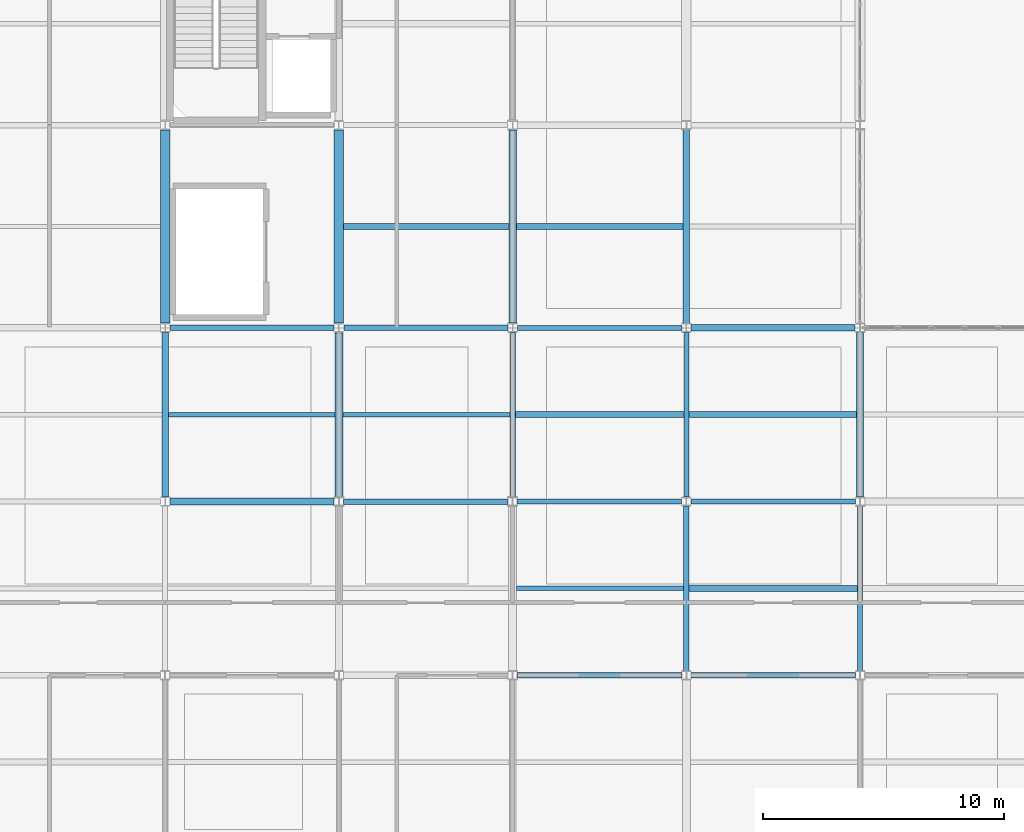
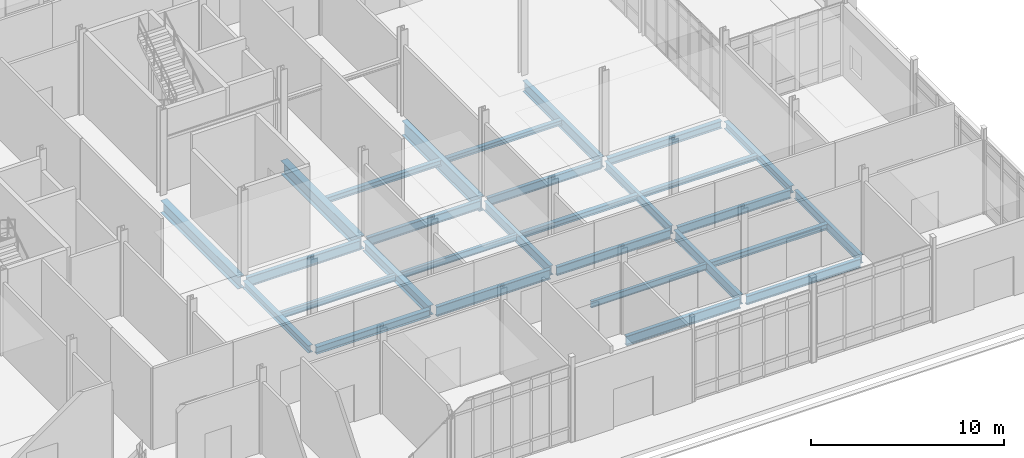
# One storey, part 119 of 229: 29 beams.
"""IFC4 building model written with IfcOpenShell, lengths in metres."""

from ifc_helpers import new_model, si_unit, direction, frame, origin, origin_2d, place, context, subcontext, project, spatial, i_section, extrude, material, material_profile, profile_set, type_object, element, save


model = new_model("IFC4")

# Units and contexts
model_context = context("Model", 3, precision=1e-05, world=origin(), true_north=direction((0.0, 1.0)))
body_context = subcontext(model_context, "Body", "Model", "MODEL_VIEW")
ifc_project = project(units=[si_unit("LENGTHUNIT", "METRE"), si_unit("AREAUNIT", "SQUARE_METRE"), si_unit("VOLUMEUNIT", "CUBIC_METRE"), si_unit("PLANEANGLEUNIT", "RADIAN"), si_unit("MASSUNIT", "GRAM", prefix="KILO")], contexts=[model_context])

# Site, building, storey
site_placement = place(None, origin())
site = spatial("IfcSite", under=ifc_project, at=site_placement, CompositionType="ELEMENT")
building_placement = place(site_placement, origin())
building = spatial("IfcBuilding", under=site, at=building_placement, Name="Calvrana Isthmian Art Gallery", CompositionType="ELEMENT")
storey_placement = place(building_placement, origin())
storey = spatial("IfcBuildingStorey", under=building, at=storey_placement, Name="L00", CompositionType="ELEMENT", Elevation=0.0)

# Beams
ifc_material = material(Name="Steel ASTM A992 Gr 50", Category="steel")
ifc_material_profile_1 = material_profile(ifc_material, i_section(OverallWidth=0.279052734375, OverallDepth=0.4619140625, WebThickness=0.0107421875, FlangeThickness=0.017333984375, FilletRadius=0.02001953125, at=origin_2d()), Name="W18X76")
ifc_profile_set_1 = profile_set([ifc_material_profile_1], Name="Steel ASTM A992 Gr 50")
beam_type_1 = type_object("IfcBeamType", Name="BM-G-W18X76", PredefinedType="BEAM", material=ifc_profile_set_1)
beam_1_placement = place(storey_placement, frame((127.39794921875, 14.39990234375, -0.51611328125), z_axis=(1.0, 0.0, 0.0), x_axis=(0.0, 1.0, 0.0)))
element("IfcBeam", 1, at=beam_1_placement, inside=storey, type_object=beam_type_1, Name="Girder X L00 17-18/C", PredefinedType="BEAM", context=body_context, shape_type="SweptSolid", body=[
    extrude(i_section(OverallWidth=0.279052734375, OverallDepth=0.4619140625, WebThickness=0.0107421875, FlangeThickness=0.017333984375, FilletRadius=0.02001953125, at=origin_2d()), origin(), (0.0, 0.0, 1.0), 6.804931640625),
])
beam_2_placement = place(storey_placement, frame((148.986572265625, 21.60009765625, -0.51611328125), z_axis=(1.0, 0.0, 0.0), x_axis=(0.0, 1.0, 0.0)))
element("IfcBeam", 2, at=beam_2_placement, inside=storey, type_object=beam_type_1, Name="Girder X L00 20-21/D", PredefinedType="BEAM", context=body_context, shape_type="SweptSolid", body=[
    extrude(i_section(OverallWidth=0.279052734375, OverallDepth=0.4619140625, WebThickness=0.0107421875, FlangeThickness=0.017333984375, FilletRadius=0.02001953125, at=origin_2d()), origin(), (0.0, 0.0, 1.0), 6.81396484375),
])
beam_3_placement = place(storey_placement, frame((127.199951171875, 14.590576171875, -0.51611328125), z_axis=(0.0, 1.0, 0.0), x_axis=(-1.0, 0.0, 0.0)))
element("IfcBeam", 3, at=beam_3_placement, inside=storey, type_object=beam_type_1, Name="Girder Y L00 17/C-D", PredefinedType="BEAM", context=body_context, shape_type="SweptSolid", body=[
    extrude(i_section(OverallWidth=0.279052734375, OverallDepth=0.4619140625, WebThickness=0.0107421875, FlangeThickness=0.017333984375, FilletRadius=0.02001953125, at=origin_2d()), origin(), (0.0, 0.0, 1.0), 6.8125),
])
beam_4_placement = place(storey_placement, frame((156.0, 14.590576171875, -0.51611328125), z_axis=(0.0, 1.0, 0.0), x_axis=(-1.0, 0.0, 0.0)))
element("IfcBeam", 4, at=beam_4_placement, inside=storey, type_object=beam_type_1, Name="Girder Y L00 21/C-D", PredefinedType="BEAM", context=body_context, shape_type="SweptSolid", body=[
    extrude(i_section(OverallWidth=0.279052734375, OverallDepth=0.4619140625, WebThickness=0.0107421875, FlangeThickness=0.017333984375, FilletRadius=0.02001953125, at=origin_2d()), origin(), (0.0, 0.0, 1.0), 6.81640625),
])
ifc_material_profile_2 = material_profile(ifc_material, i_section(OverallWidth=0.208984375, OverallDepth=0.532958984375, WebThickness=0.01025390625, FlangeThickness=0.015625, FilletRadius=0.02099609375, at=origin_2d()), Name="W21X62")
ifc_profile_set_2 = profile_set([ifc_material_profile_2], Name="Steel ASTM A992 Gr 50")
beam_type_2 = type_object("IfcBeamType", Name="BM-G-W21X62", PredefinedType="BEAM", material=ifc_profile_set_2)
beam_5_placement = place(storey_placement, frame((148.99951171875, 14.39990234375, -0.551513671875), z_axis=(1.0, 0.0, 0.0), x_axis=(0.0, 1.0, 0.0)))
element("IfcBeam", 5, at=beam_5_placement, inside=storey, type_object=beam_type_2, Name="Girder X L00 20-21/C", PredefinedType="BEAM", context=body_context, shape_type="SweptSolid", body=[
    extrude(i_section(OverallWidth=0.208984375, OverallDepth=0.532958984375, WebThickness=0.01025390625, FlangeThickness=0.015625, FilletRadius=0.02099609375, at=origin_2d()), origin(), (0.0, 0.0, 1.0), 6.802490234375),
])
beam_6_placement = place(storey_placement, frame((141.800537109375, 21.60009765625, -0.551513671875), z_axis=(1.0, 0.0, 0.0), x_axis=(0.0, 1.0, 0.0)))
element("IfcBeam", 6, at=beam_6_placement, inside=storey, type_object=beam_type_2, Name="Girder X L00 19-20/D", PredefinedType="BEAM", context=body_context, shape_type="SweptSolid", body=[
    extrude(i_section(OverallWidth=0.208984375, OverallDepth=0.532958984375, WebThickness=0.01025390625, FlangeThickness=0.015625, FilletRadius=0.02099609375, at=origin_2d()), origin(), (0.0, 0.0, 1.0), 6.81298828125),
])
beam_7_placement = place(storey_placement, frame((148.800048828125, 14.593017578125, -0.551513671875), z_axis=(0.0, 1.0, 0.0), x_axis=(-1.0, 0.0, 0.0)))
element("IfcBeam", 7, at=beam_7_placement, inside=storey, type_object=beam_type_2, Name="Girder Y L00 20/C-D", PredefinedType="BEAM", context=body_context, shape_type="SweptSolid", body=[
    extrude(i_section(OverallWidth=0.208984375, OverallDepth=0.532958984375, WebThickness=0.01025390625, FlangeThickness=0.015625, FilletRadius=0.02099609375, at=origin_2d()), origin(), (0.0, 0.0, 1.0), 6.820556640625),
])
beam_8_placement = place(storey_placement, frame((156.0, 7.381591796875, -0.551513671875), z_axis=(0.0, 1.0, 0.0), x_axis=(-1.0, 0.0, 0.0)))
element("IfcBeam", 8, at=beam_8_placement, inside=storey, type_object=beam_type_2, Name="Girder Y L00 21/B-C", PredefinedType="BEAM", context=body_context, shape_type="SweptSolid", body=[
    extrude(i_section(OverallWidth=0.208984375, OverallDepth=0.532958984375, WebThickness=0.01025390625, FlangeThickness=0.015625, FilletRadius=0.02099609375, at=origin_2d()), origin(), (0.0, 0.0, 1.0), 6.827880859375),
])
ifc_material_profile_3 = material_profile(ifc_material, i_section(OverallWidth=0.214111328125, OverallDepth=0.549072265625, WebThickness=0.0146484375, FlangeThickness=0.023681640625, FilletRadius=0.02099609375, at=origin_2d()), Name="W21X93")
ifc_profile_set_3 = profile_set([ifc_material_profile_3], Name="Steel ASTM A992 Gr 50")
beam_type_3 = type_object("IfcBeamType", Name="BM-G-W21X93", PredefinedType="BEAM", material=ifc_profile_set_3)
beam_9_placement = place(storey_placement, frame((148.986572265625, 7.199951171875, -0.5595703125), z_axis=(1.0, 0.0, 0.0), x_axis=(0.0, 1.0, 0.0)))
element("IfcBeam", 9, at=beam_9_placement, inside=storey, type_object=beam_type_3, Name="Girder X L00 20-21/B", PredefinedType="BEAM", context=body_context, shape_type="SweptSolid", body=[
    extrude(i_section(OverallWidth=0.214111328125, OverallDepth=0.549072265625, WebThickness=0.0146484375, FlangeThickness=0.023681640625, FilletRadius=0.02099609375, at=origin_2d()), origin(), (0.0, 0.0, 1.0), 6.827880859375),
])
beam_10_placement = place(storey_placement, frame((141.78662109375, 14.39990234375, -0.5595703125), z_axis=(1.0, 0.0, 0.0), x_axis=(0.0, 1.0, 0.0)))
element("IfcBeam", 10, at=beam_10_placement, inside=storey, type_object=beam_type_3, Name="Girder X L00 19-20/C", PredefinedType="BEAM", context=body_context, shape_type="SweptSolid", body=[
    extrude(i_section(OverallWidth=0.214111328125, OverallDepth=0.549072265625, WebThickness=0.0146484375, FlangeThickness=0.023681640625, FilletRadius=0.02099609375, at=origin_2d()), origin(), (0.0, 0.0, 1.0), 6.81396484375),
])
beam_11_placement = place(storey_placement, frame((134.60302734375, 21.60009765625, -0.5595703125), z_axis=(1.0, 0.0, 0.0), x_axis=(0.0, 1.0, 0.0)))
element("IfcBeam", 11, at=beam_11_placement, inside=storey, type_object=beam_type_3, Name="Girder X L00 18-19/D", PredefinedType="BEAM", context=body_context, shape_type="SweptSolid", body=[
    extrude(i_section(OverallWidth=0.214111328125, OverallDepth=0.549072265625, WebThickness=0.0146484375, FlangeThickness=0.023681640625, FilletRadius=0.02099609375, at=origin_2d()), origin(), (0.0, 0.0, 1.0), 6.79638671875),
])
ifc_material_profile_4 = material_profile(ifc_material, i_section(OverallWidth=0.324951171875, OverallDepth=0.612060546875, WebThickness=0.0126953125, FlangeThickness=0.01904296875, FilletRadius=0.02197265625, at=origin_2d()), Name="W24X104")
ifc_profile_set_4 = profile_set([ifc_material_profile_4], Name="Steel ASTM A992 Gr 50")
beam_type_4 = type_object("IfcBeamType", Name="BM-G-W24X104", PredefinedType="BEAM", material=ifc_profile_set_4)
beam_12_placement = place(storey_placement, frame((134.39990234375, 14.587890625, -0.591064453125), z_axis=(0.0, 1.0, 0.0), x_axis=(-1.0, 0.0, 0.0)))
element("IfcBeam", 12, at=beam_12_placement, inside=storey, type_object=beam_type_4, Name="Girder Y L00 18/C-D", PredefinedType="BEAM", context=body_context, shape_type="SweptSolid", body=[
    extrude(i_section(OverallWidth=0.324951171875, OverallDepth=0.612060546875, WebThickness=0.0126953125, FlangeThickness=0.01904296875, FilletRadius=0.02197265625, at=origin_2d()), origin(), (0.0, 0.0, 1.0), 6.8037109375),
])
ifc_material_profile_5 = material_profile(ifc_material, i_section(OverallWidth=0.22802734375, OverallDepth=0.60693359375, WebThickness=0.01123046875, FlangeThickness=0.017333984375, FilletRadius=0.02197265625, at=origin_2d()), Name="W24X76")
ifc_profile_set_5 = profile_set([ifc_material_profile_5], Name="Steel ASTM A992 Gr 50")
beam_type_5 = type_object("IfcBeamType", Name="BM-G-W24X76", PredefinedType="BEAM", material=ifc_profile_set_5)
beam_13_placement = place(storey_placement, frame((141.78662109375, 7.199951171875, -0.58837890625), z_axis=(1.0, 0.0, 0.0), x_axis=(0.0, 1.0, 0.0)))
element("IfcBeam", 13, at=beam_13_placement, inside=storey, type_object=beam_type_5, Name="Girder X L00 19-20/B", PredefinedType="BEAM", context=body_context, shape_type="SweptSolid", body=[
    extrude(i_section(OverallWidth=0.22802734375, OverallDepth=0.60693359375, WebThickness=0.01123046875, FlangeThickness=0.017333984375, FilletRadius=0.02197265625, at=origin_2d()), origin(), (0.0, 0.0, 1.0), 6.826904296875),
])
beam_14_placement = place(storey_placement, frame((134.596923828125, 14.39990234375, -0.58837890625), z_axis=(1.0, 0.0, 0.0), x_axis=(0.0, 1.0, 0.0)))
element("IfcBeam", 14, at=beam_14_placement, inside=storey, type_object=beam_type_5, Name="Girder X L00 18-19/C", PredefinedType="BEAM", context=body_context, shape_type="SweptSolid", body=[
    extrude(i_section(OverallWidth=0.22802734375, OverallDepth=0.60693359375, WebThickness=0.01123046875, FlangeThickness=0.017333984375, FilletRadius=0.02197265625, at=origin_2d()), origin(), (0.0, 0.0, 1.0), 6.816650390625),
])
beam_15_placement = place(storey_placement, frame((127.3994140625, 21.60009765625, -0.58837890625), z_axis=(1.0, 0.0, 0.0), x_axis=(0.0, 1.0, 0.0)))
element("IfcBeam", 15, at=beam_15_placement, inside=storey, type_object=beam_type_5, Name="Girder X L00 17-18/D", PredefinedType="BEAM", context=body_context, shape_type="SweptSolid", body=[
    extrude(i_section(OverallWidth=0.22802734375, OverallDepth=0.60693359375, WebThickness=0.01123046875, FlangeThickness=0.017333984375, FilletRadius=0.02197265625, at=origin_2d()), origin(), (0.0, 0.0, 1.0), 6.797607421875),
])
beam_16_placement = place(storey_placement, frame((141.60009765625, 14.58642578125, -0.58837890625), z_axis=(0.0, 1.0, 0.0), x_axis=(-1.0, 0.0, 0.0)))
element("IfcBeam", 16, at=beam_16_placement, inside=storey, type_object=beam_type_5, Name="Girder Y L00 19/C-D", PredefinedType="BEAM", context=body_context, shape_type="SweptSolid", body=[
    extrude(i_section(OverallWidth=0.22802734375, OverallDepth=0.60693359375, WebThickness=0.01123046875, FlangeThickness=0.017333984375, FilletRadius=0.02197265625, at=origin_2d()), origin(), (0.0, 0.0, 1.0), 6.81396484375),
])
beam_17_placement = place(storey_placement, frame((148.800048828125, 7.384033203125, -0.58837890625), z_axis=(0.0, 1.0, 0.0), x_axis=(-1.0, 0.0, 0.0)))
element("IfcBeam", 17, at=beam_17_placement, inside=storey, type_object=beam_type_5, Name="Girder Y L00 20/B-C", PredefinedType="BEAM", context=body_context, shape_type="SweptSolid", body=[
    extrude(i_section(OverallWidth=0.22802734375, OverallDepth=0.60693359375, WebThickness=0.01123046875, FlangeThickness=0.017333984375, FilletRadius=0.02197265625, at=origin_2d()), origin(), (0.0, 0.0, 1.0), 6.822998046875),
])
ifc_material_profile_6 = material_profile(ifc_material, i_section(OverallWidth=0.257080078125, OverallDepth=0.693115234375, WebThickness=0.014404296875, FlangeThickness=0.023681640625, FilletRadius=0.02392578125, at=origin_2d()), Name="W27X114")
ifc_profile_set_6 = profile_set([ifc_material_profile_6], Name="Steel ASTM A992 Gr 50")
beam_type_6 = type_object("IfcBeamType", Name="BM-G-W27X114", PredefinedType="BEAM", material=ifc_profile_set_6)
beam_18_placement = place(storey_placement, frame((148.800048828125, 21.78662109375, -0.631591796875), z_axis=(0.0, 1.0, 0.0), x_axis=(-1.0, 0.0, 0.0)))
element("IfcBeam", 18, at=beam_18_placement, inside=storey, type_object=beam_type_6, Name="Girder Y L00 20/D-E", PredefinedType="BEAM", context=body_context, shape_type="SweptSolid", body=[
    extrude(i_section(OverallWidth=0.257080078125, OverallDepth=0.693115234375, WebThickness=0.014404296875, FlangeThickness=0.023681640625, FilletRadius=0.02392578125, at=origin_2d()), origin(), (0.0, 0.0, 1.0), 8.025390625),
])
ifc_material_profile_7 = material_profile(ifc_material, i_section(OverallWidth=0.381103515625, OverallDepth=0.77197265625, WebThickness=0.0166015625, FlangeThickness=0.027099609375, FilletRadius=0.02490234375, at=origin_2d()), Name="W30X173")
ifc_profile_set_7 = profile_set([ifc_material_profile_7], Name="Steel ASTM A992 Gr 50")
beam_type_7 = type_object("IfcBeamType", Name="BM-G-W30X173", PredefinedType="BEAM", material=ifc_profile_set_7)
beam_19_placement = place(storey_placement, frame((127.199951171875, 21.797119140625, -0.6708984375), z_axis=(0.0, 1.0, 0.0), x_axis=(-1.0, 0.0, 0.0)))
element("IfcBeam", 19, at=beam_19_placement, inside=storey, type_object=beam_type_7, Name="Girder Y L00 17/D-E", PredefinedType="BEAM", context=body_context, shape_type="SweptSolid", body=[
    extrude(i_section(OverallWidth=0.381103515625, OverallDepth=0.77197265625, WebThickness=0.0166015625, FlangeThickness=0.027099609375, FilletRadius=0.02490234375, at=origin_2d()), origin(), (0.0, 0.0, 1.0), 8.00341796875),
])
ifc_material_profile_8 = material_profile(ifc_material, i_section(OverallWidth=0.40087890625, OverallDepth=0.85595703125, WebThickness=0.018310546875, FlangeThickness=0.029296875, FilletRadius=0.02587890625, at=origin_2d()), Name="W33X201")
ifc_profile_set_8 = profile_set([ifc_material_profile_8], Name="Steel ASTM A992 Gr 50")
beam_type_8 = type_object("IfcBeamType", Name="BM-G-W33X201", PredefinedType="BEAM", material=ifc_profile_set_8)
beam_20_placement = place(storey_placement, frame((134.39990234375, 21.80859375, -0.712890625), z_axis=(0.0, 1.0, 0.0), x_axis=(-1.0, 0.0, 0.0)))
element("IfcBeam", 20, at=beam_20_placement, inside=storey, type_object=beam_type_8, Name="Girder Y L00 18/D-E", PredefinedType="BEAM", context=body_context, shape_type="SweptSolid", body=[
    extrude(i_section(OverallWidth=0.40087890625, OverallDepth=0.85595703125, WebThickness=0.018310546875, FlangeThickness=0.029296875, FilletRadius=0.02587890625, at=origin_2d()), origin(), (0.0, 0.0, 1.0), 7.998291015625),
])
ifc_material_profile_9 = material_profile(ifc_material, i_section(OverallWidth=0.306884765625, OverallDepth=0.927001953125, WebThickness=0.019287109375, FlangeThickness=0.031982421875, FilletRadius=0.028076171875, at=origin_2d()), Name="W36X194")
ifc_profile_set_9 = profile_set([ifc_material_profile_9], Name="Steel ASTM A992 Gr 50")
beam_type_9 = type_object("IfcBeamType", Name="BM-G-W36X194", PredefinedType="BEAM", material=ifc_profile_set_9)
beam_21_placement = place(storey_placement, frame((141.60009765625, 21.799560546875, -0.74853515625), z_axis=(0.0, 1.0, 0.0), x_axis=(-1.0, 0.0, 0.0)))
element("IfcBeam", 21, at=beam_21_placement, inside=storey, type_object=beam_type_9, Name="Girder Y L00 19/D-E", PredefinedType="BEAM", context=body_context, shape_type="SweptSolid", body=[
    extrude(i_section(OverallWidth=0.306884765625, OverallDepth=0.927001953125, WebThickness=0.019287109375, FlangeThickness=0.031982421875, FilletRadius=0.028076171875, at=origin_2d()), origin(), (0.0, 0.0, 1.0), 7.99755859375),
])
ifc_material_profile_10 = material_profile(ifc_material, i_section(OverallWidth=0.25390625, OverallDepth=0.306884765625, WebThickness=0.0087890625, FlangeThickness=0.0146484375, FilletRadius=0.01611328125, at=origin_2d()), Name="W12X53")
ifc_profile_set_10 = profile_set([ifc_material_profile_10], Name="Steel ASTM A992 Gr 50")
beam_type_10 = type_object("IfcBeamType", Name="BM-J-W12X53", PredefinedType="JOIST", material=ifc_profile_set_10)
beam_22_placement = place(storey_placement, frame((141.75341796875, 25.800048828125, -0.4384765625), z_axis=(1.0, 0.0, 0.0), x_axis=(0.0, 1.0, 0.0)))
element("IfcBeam", 22, at=beam_22_placement, inside=storey, type_object=beam_type_10, Name="Composite joist L00 bay 18-03", PredefinedType="JOIST", context=body_context, shape_type="SweptSolid", body=[
    extrude(i_section(OverallWidth=0.25390625, OverallDepth=0.306884765625, WebThickness=0.0087890625, FlangeThickness=0.0146484375, FilletRadius=0.01611328125, at=origin_2d()), origin(), (0.0, 0.0, 1.0), 6.91796875),
])
beam_23_placement = place(storey_placement, frame((148.904541015625, 18.0, -0.4384765625), z_axis=(1.0, 0.0, 0.0), x_axis=(0.0, 1.0, 0.0)))
element("IfcBeam", 23, at=beam_23_placement, inside=storey, type_object=beam_type_10, Name="Composite joist L00 bay 19-02", PredefinedType="JOIST", context=body_context, shape_type="SweptSolid", body=[
    extrude(i_section(OverallWidth=0.25390625, OverallDepth=0.306884765625, WebThickness=0.0087890625, FlangeThickness=0.0146484375, FilletRadius=0.01611328125, at=origin_2d()), origin(), (0.0, 0.0, 1.0), 6.9560546875),
])
ifc_material_profile_11 = material_profile(ifc_material, i_section(OverallWidth=0.25390625, OverallDepth=0.35302734375, WebThickness=0.009521484375, FlangeThickness=0.016357421875, FilletRadius=0.01806640625, at=origin_2d()), Name="W14X61")
ifc_profile_set_11 = profile_set([ifc_material_profile_11], Name="Steel ASTM A992 Gr 50")
beam_type_11 = type_object("IfcBeamType", Name="BM-J-W14X61", PredefinedType="JOIST", material=ifc_profile_set_11)
beam_24_placement = place(storey_placement, frame((134.6005859375, 25.800048828125, -0.46142578125), z_axis=(1.0, 0.0, 0.0), x_axis=(0.0, 1.0, 0.0)))
element("IfcBeam", 24, at=beam_24_placement, inside=storey, type_object=beam_type_11, Name="Composite joist L00 bay 17-03", PredefinedType="JOIST", context=body_context, shape_type="SweptSolid", body=[
    extrude(i_section(OverallWidth=0.25390625, OverallDepth=0.35302734375, WebThickness=0.009521484375, FlangeThickness=0.016357421875, FilletRadius=0.01806640625, at=origin_2d()), origin(), (0.0, 0.0, 1.0), 6.845947265625),
])
for number, where, z_axis, x_axis, name in (
    (25, (141.714111328125, 18.0, -0.46142578125), (1.0, 0.0, 0.0), (0.0, 1.0, 0.0), "Composite joist L00 bay 18-02"),
    (26, (148.9140625, 10.800048828125, -0.46142578125), (1.0, 0.0, 0.0), (0.0, 1.0, 0.0), "Composite joist L00 bay 19-01"),
):
    element("IfcBeam", number, at=place(storey_placement, frame(where, z_axis=z_axis, x_axis=x_axis)), inside=storey, type_object=beam_type_11, Name=name, PredefinedType="JOIST", context=body_context, shape_type="SweptSolid", body=[
        extrude(i_section(OverallWidth=0.25390625, OverallDepth=0.35302734375, WebThickness=0.009521484375, FlangeThickness=0.016357421875, FilletRadius=0.01806640625, at=origin_2d()), origin(), (0.0, 0.0, 1.0), 6.9814453125),
    ])
ifc_material_profile_12 = material_profile(ifc_material, i_section(OverallWidth=0.177978515625, OverallDepth=0.404052734375, WebThickness=0.007568359375, FlangeThickness=0.010986328125, FilletRadius=0.01806640625, at=origin_2d()), Name="W16X36")
ifc_profile_set_12 = profile_set([ifc_material_profile_12], Name="Steel ASTM A992 Gr 50")
beam_type_12 = type_object("IfcBeamType", Name="BM-J-W16X36", PredefinedType="JOIST", material=ifc_profile_set_12)
for number, where, z_axis, x_axis, name in (
    (27, (134.5625, 18.0, -0.487060546875), (1.0, 0.0, 0.0), (0.0, 1.0, 0.0), "Composite joist L00 bay 17-02"),
    (28, (141.762451171875, 10.800048828125, -0.487060546875), (1.0, 0.0, 0.0), (0.0, 1.0, 0.0), "Composite joist L00 bay 18-01"),
):
    element("IfcBeam", number, at=place(storey_placement, frame(where, z_axis=z_axis, x_axis=x_axis)), inside=storey, type_object=beam_type_12, Name=name, PredefinedType="JOIST", context=body_context, shape_type="SweptSolid", body=[
        extrude(i_section(OverallWidth=0.177978515625, OverallDepth=0.404052734375, WebThickness=0.007568359375, FlangeThickness=0.010986328125, FilletRadius=0.01806640625, at=origin_2d()), origin(), (0.0, 0.0, 1.0), 6.923583984375),
    ])
ifc_material_profile_13 = material_profile(ifc_material, i_section(OverallWidth=0.179931640625, OverallDepth=0.4140625, WebThickness=0.009765625, FlangeThickness=0.01611328125, FilletRadius=0.01806640625, at=origin_2d()), Name="W16X50")
ifc_profile_set_13 = profile_set([ifc_material_profile_13], Name="Steel ASTM A992 Gr 50")
beam_type_13 = type_object("IfcBeamType", Name="BM-J-W16X50", PredefinedType="JOIST", material=ifc_profile_set_13)
beam_25_placement = place(storey_placement, frame((127.339599609375, 18.0, -0.491943359375), z_axis=(1.0, 0.0, 0.0), x_axis=(0.0, 1.0, 0.0)))
element("IfcBeam", 29, at=beam_25_placement, inside=storey, type_object=beam_type_13, Name="Composite joist L00 bay 16-02", PredefinedType="JOIST", context=body_context, shape_type="SweptSolid", body=[
    extrude(i_section(OverallWidth=0.179931640625, OverallDepth=0.4140625, WebThickness=0.009765625, FlangeThickness=0.01611328125, FilletRadius=0.01806640625, at=origin_2d()), origin(), (0.0, 0.0, 1.0), 6.89794921875),
])

save(model, "model.ifc")
